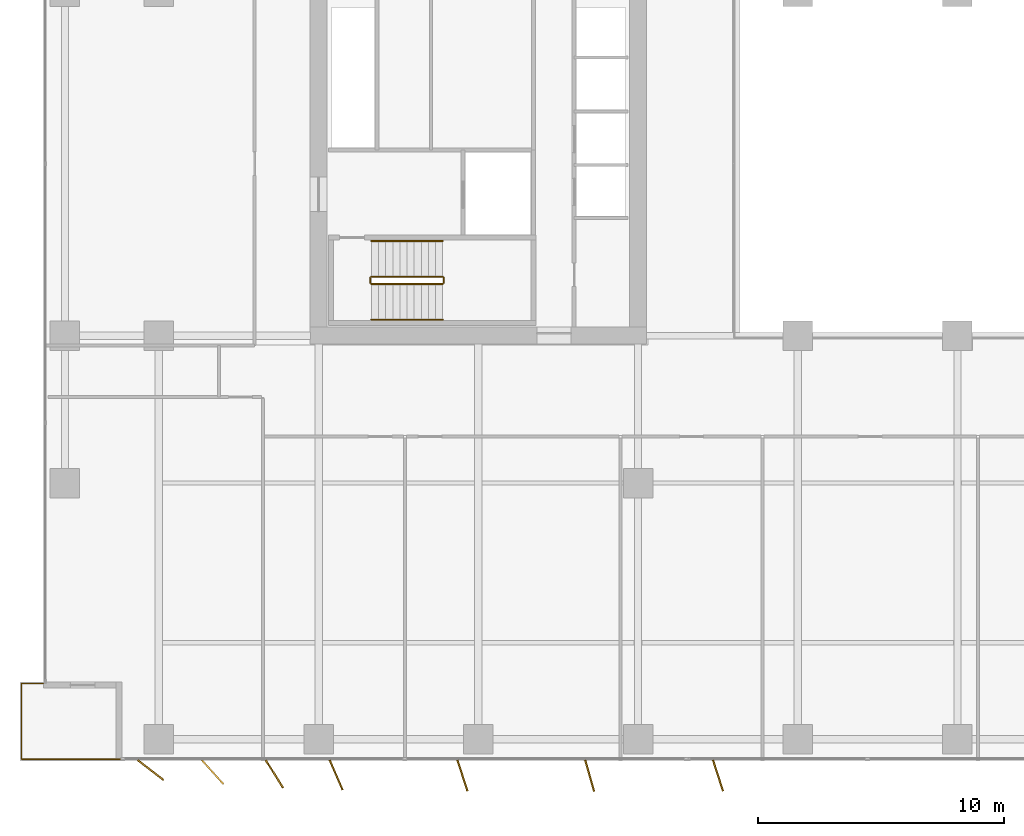
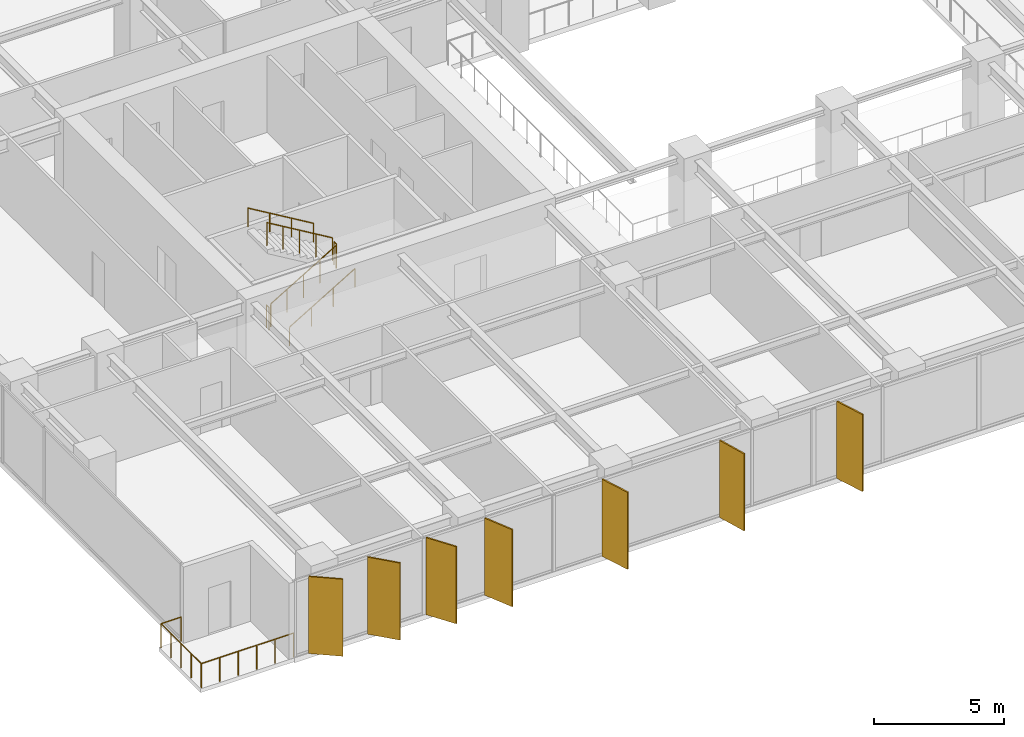
# One storey, part 17 of 20: 7 railings, 7 shading devices.
"""IFC4 building model written with IfcOpenShell, lengths in metres."""

from ifc_helpers import new_model, si_unit, direction, frame, origin, origin_2d, place, context, subcontext, project, spatial, rectangle, circle, extrude, material, layer, layer_set, type_object, element, save


model = new_model("IFC4")

# Units and contexts
model_context = context("Model", 3, precision=1e-05, world=origin(), true_north=direction((0.0, 1.0)))
body_context = subcontext(model_context, "Body", "Model", "MODEL_VIEW")
ifc_project = project(units=[si_unit("LENGTHUNIT", "METRE"), si_unit("AREAUNIT", "SQUARE_METRE"), si_unit("VOLUMEUNIT", "CUBIC_METRE"), si_unit("PLANEANGLEUNIT", "RADIAN"), si_unit("MASSUNIT", "GRAM", prefix="KILO")], contexts=[model_context])

# Site, building, storey
site_placement = place(None, origin())
site = spatial("IfcSite", under=ifc_project, at=site_placement, CompositionType="ELEMENT")
building_placement = place(site_placement, origin())
building = spatial("IfcBuilding", under=site, at=building_placement, Name="Putna Gate Headquarters", CompositionType="ELEMENT")
storey_placement = place(building_placement, frame((0.0, 0.0, 97.39990234375)))
storey = spatial("IfcBuildingStorey", under=building, at=storey_placement, Name="L23", CompositionType="ELEMENT", Elevation=97.39990234375)

# Railings
ifc_material_1 = material(Name="Powder-coated steel stair guardrail", Category="steel")
railing_type_1 = type_object("IfcRailingType", Name="RAIL-STAIR-GUARD-1100", PredefinedType="GUARDRAIL", material=ifc_material_1)
railing_1_placement = place(storey_placement, frame((15.14990234375, 21.10009765625, 0.1728515625)))
element("IfcRailing", 1, at=railing_1_placement, inside=storey, type_object=railing_type_1, Name="L23 ST1 stair guard 1", PredefinedType="GUARDRAIL", context=body_context, shape_type="SweptSolid", body=[
    extrude(circle(Radius=0.02392578125, at=origin_2d()), frame((0.0, 0.0, 1.076171875), z_axis=(0.859160404282, 0.0, 0.51170636083), x_axis=(0.0, 1.0, 0.0)), (0.0, 0.0, 1.0), 3.37548828125),
    extrude(circle(Radius=0.02099609375, at=origin_2d()), origin(), (0.0, 0.0, 1.0), 1.052001953125),
    extrude(circle(Radius=0.02099609375, at=origin_2d()), frame((0.72509765625, 0.0, 0.431884765625)), (0.0, 0.0, 1.0), 1.052001953125),
    extrude(circle(Radius=0.02099609375, at=origin_2d()), frame((1.4501953125, 0.0, 0.86376953125)), (0.0, 0.0, 1.0), 1.052001953125),
    extrude(circle(Radius=0.02099609375, at=origin_2d()), frame((2.175048828125, 0.0, 1.29541015625)), (0.0, 0.0, 1.0), 1.052001953125),
    extrude(circle(Radius=0.02099609375, at=origin_2d()), frame((2.900146484375, 0.0, 1.727294921875)), (0.0, 0.0, 1.0), 1.052001953125),
])
railing_2_placement = place(storey_placement, frame((18.10009765625, 21.14990234375, 1.900146484375)))
element("IfcRailing", 2, at=railing_2_placement, inside=storey, type_object=railing_type_1, Name="L23 ST1 stair guard 2", PredefinedType="GUARDRAIL", context=body_context, shape_type="SweptSolid", body=[
    extrude(circle(Radius=0.02392578125, at=origin_2d()), frame((0.0, 0.0, 1.076171875), z_axis=(0.0, 1.0, 0.0), x_axis=(-1.0, 0.0, 0.0)), (0.0, 0.0, 1.0), 0.2001953125),
    extrude(circle(Radius=0.02099609375, at=origin_2d()), origin(), (0.0, 0.0, 1.0), 1.052001953125),
    extrude(circle(Radius=0.02099609375, at=origin_2d()), frame((0.0, 0.2001953125, 0.0)), (0.0, 0.0, 1.0), 1.052001953125),
])
railing_3_placement = place(storey_placement, frame((18.050048828125, 21.39990234375, 2.07275390625)))
element("IfcRailing", 3, at=railing_3_placement, inside=storey, type_object=railing_type_1, Name="L23 ST1 stair guard 3", PredefinedType="GUARDRAIL", context=body_context, shape_type="SweptSolid", body=[
    extrude(circle(Radius=0.02392578125, at=origin_2d()), frame((0.0, 0.0, 1.076171875), z_axis=(-0.859160404282, 0.0, 0.51170636083), x_axis=(0.0, -1.0, 0.0)), (0.0, 0.0, 1.0), 3.37548828125),
    extrude(circle(Radius=0.02099609375, at=origin_2d()), origin(), (0.0, 0.0, 1.0), 1.052001953125),
    extrude(circle(Radius=0.02099609375, at=origin_2d()), frame((-0.72509765625, 0.0, 0.431884765625)), (0.0, 0.0, 1.0), 1.052001953125),
    extrude(circle(Radius=0.02099609375, at=origin_2d()), frame((-1.4501953125, 0.0, 0.86376953125)), (0.0, 0.0, 1.0), 1.052001953125),
    extrude(circle(Radius=0.02099609375, at=origin_2d()), frame((-2.175048828125, 0.0, 1.29541015625)), (0.0, 0.0, 1.0), 1.052001953125),
    extrude(circle(Radius=0.02099609375, at=origin_2d()), frame((-2.900146484375, 0.0, 1.727294921875)), (0.0, 0.0, 1.0), 1.052001953125),
])
railing_4_placement = place(storey_placement, frame((15.10009765625, 21.14990234375, 0.0)))
element("IfcRailing", 4, at=railing_4_placement, inside=storey, type_object=railing_type_1, Name="L23 ST1 stair guard 4", PredefinedType="GUARDRAIL", context=body_context, shape_type="SweptSolid", body=[
    extrude(circle(Radius=0.02392578125, at=origin_2d()), frame((0.0, 0.0, 1.076171875), z_axis=(0.0, 1.0, 0.0), x_axis=(-1.0, 0.0, 0.0)), (0.0, 0.0, 1.0), 0.2001953125),
    extrude(circle(Radius=0.02099609375, at=origin_2d()), origin(), (0.0, 0.0, 1.0), 1.052001953125),
    extrude(circle(Radius=0.02099609375, at=origin_2d()), frame((0.0, 0.2001953125, 0.0)), (0.0, 0.0, 1.0), 1.052001953125),
])
ifc_material_2 = material(Name="Brushed stainless steel handrail", Category="steel")
railing_type_2 = type_object("IfcRailingType", Name="RAIL-STAIR-HAND-900", PredefinedType="HANDRAIL", material=ifc_material_2)
railing_5_placement = place(storey_placement, frame((15.14990234375, 19.64990234375, 0.1728515625)))
element("IfcRailing", 5, at=railing_5_placement, inside=storey, type_object=railing_type_2, Name="L23 ST1 stair handrail 1", PredefinedType="HANDRAIL", context=body_context, shape_type="SweptSolid", body=[
    extrude(circle(Radius=0.02392578125, at=origin_2d()), frame((0.0, 0.0, 0.8759765625), z_axis=(0.859160404282, 0.0, 0.51170636083), x_axis=(0.0, 1.0, 0.0)), (0.0, 0.0, 1.0), 3.37548828125),
    extrude(circle(Radius=0.02099609375, at=origin_2d()), origin(), (0.0, 0.0, 1.0), 0.851806640625),
    extrude(circle(Radius=0.02099609375, at=origin_2d()), frame((0.966796875, 0.0, 0.57568359375)), (0.0, 0.0, 1.0), 0.851806640625),
    extrude(circle(Radius=0.02099609375, at=origin_2d()), frame((1.933349609375, 0.0, 1.151611328125)), (0.0, 0.0, 1.0), 0.851806640625),
    extrude(circle(Radius=0.02099609375, at=origin_2d()), frame((2.900146484375, 0.0, 1.727294921875)), (0.0, 0.0, 1.0), 0.851806640625),
])
railing_6_placement = place(storey_placement, frame((18.050048828125, 22.85009765625, 2.07275390625)))
element("IfcRailing", 6, at=railing_6_placement, inside=storey, type_object=railing_type_2, Name="L23 ST1 stair handrail 2", PredefinedType="HANDRAIL", context=body_context, shape_type="SweptSolid", body=[
    extrude(circle(Radius=0.02392578125, at=origin_2d()), frame((0.0, 0.0, 0.8759765625), z_axis=(-0.859160404282, 0.0, 0.51170636083), x_axis=(0.0, -1.0, 0.0)), (0.0, 0.0, 1.0), 3.37548828125),
    extrude(circle(Radius=0.02099609375, at=origin_2d()), origin(), (0.0, 0.0, 1.0), 0.851806640625),
    extrude(circle(Radius=0.02099609375, at=origin_2d()), frame((-0.966796875, 0.0, 0.57568359375)), (0.0, 0.0, 1.0), 0.851806640625),
    extrude(circle(Radius=0.02099609375, at=origin_2d()), frame((-1.933349609375, 0.0, 1.151611328125)), (0.0, 0.0, 1.0), 0.851806640625),
    extrude(circle(Radius=0.02099609375, at=origin_2d()), frame((-2.900146484375, 0.0, 1.727294921875)), (0.0, 0.0, 1.0), 0.851806640625),
])
ifc_material_3 = material(Name="Anodised bronze steel and laminated glass guardrail", Category="steel")
railing_type_3 = type_object("IfcRailingType", Name="RAIL-TERR-GUARD-1150", PredefinedType="GUARDRAIL", material=ifc_material_3)
railing_7_placement = place(storey_placement, frame((5.0, 1.760009765625, 0.0)))
element("IfcRailing", 7, at=railing_7_placement, inside=storey, type_object=railing_type_3, Name="L23 Spiral Sky Terrace Guardrail SW", PredefinedType="GUARDRAIL", context=body_context, shape_type="SweptSolid", body=[
    extrude(circle(Radius=0.02392578125, at=origin_2d()), frame((0.0, 0.0, 1.1259765625), z_axis=(-1.0, 0.0, 0.0), x_axis=(0.0, -1.0, 0.0)), (0.0, 0.0, 1.0), 4.090087890625),
    extrude(circle(Radius=0.02392578125, at=origin_2d()), frame((-4.090087890625, 0.0, 1.1259765625), z_axis=(0.0, 1.0, 0.0), x_axis=(-1.0, 0.0, 0.0)), (0.0, 0.0, 1.0), 3.080078125),
    extrude(circle(Radius=0.02392578125, at=origin_2d()), frame((-4.090087890625, 3.080078125, 1.1259765625), z_axis=(1.0, 0.0, 0.0), x_axis=(0.0, 1.0, 0.0)), (0.0, 0.0, 1.0), 0.89013671875),
    extrude(circle(Radius=0.02099609375, at=origin_2d()), origin(), (0.0, 0.0, 1.0), 1.101806640625),
    extrude(circle(Radius=0.02099609375, at=origin_2d()), frame((-0.818115234375, 0.0, 0.0)), (0.0, 0.0, 1.0), 1.101806640625),
    extrude(circle(Radius=0.02099609375, at=origin_2d()), frame((-1.635986328125, 0.0, 0.0)), (0.0, 0.0, 1.0), 1.101806640625),
    extrude(circle(Radius=0.02099609375, at=origin_2d()), frame((-2.4541015625, 0.0, 0.0)), (0.0, 0.0, 1.0), 1.101806640625),
    extrude(circle(Radius=0.02099609375, at=origin_2d()), frame((-3.27197265625, 0.0, 0.0)), (0.0, 0.0, 1.0), 1.101806640625),
    extrude(circle(Radius=0.02099609375, at=origin_2d()), frame((-4.090087890625, 0.0, 0.0)), (0.0, 0.0, 1.0), 1.101806640625),
    extrude(circle(Radius=0.02099609375, at=origin_2d()), frame((-4.090087890625, 0.77001953125, 0.0)), (0.0, 0.0, 1.0), 1.101806640625),
    extrude(circle(Radius=0.02099609375, at=origin_2d()), frame((-4.090087890625, 1.5400390625, 0.0)), (0.0, 0.0, 1.0), 1.101806640625),
    extrude(circle(Radius=0.02099609375, at=origin_2d()), frame((-4.090087890625, 2.31005859375, 0.0)), (0.0, 0.0, 1.0), 1.101806640625),
    extrude(circle(Radius=0.02099609375, at=origin_2d()), frame((-4.090087890625, 3.080078125, 0.0)), (0.0, 0.0, 1.0), 1.101806640625),
    extrude(circle(Radius=0.02099609375, at=origin_2d()), frame((-3.199951171875, 3.080078125, 0.0)), (0.0, 0.0, 1.0), 1.101806640625),
])

# Shading devices
ifc_material_4 = material(Name="Anodised architectural bronze aluminium fin", Category="aluminium")
ifc_layer = layer(ifc_material_4, 0.06494140625)
ifc_layer_set = layer_set([ifc_layer], Name="Anodised architectural bronze aluminium fin")
shading_device_type = type_object("IfcShadingDeviceType", Name="SHADE-BRONZE-FIN-1320", PredefinedType="USERDEFINED", material=ifc_layer_set)
for number, where, z_axis, x_axis, name in (
    (8, (6.169677734375, 1.318115234375, -0.019775390625), (0.0, 0.0, 1.0), (0.787473187632, -0.616348909921, 0.0), "L23 Bronze Vertical Shading Fin S1"),
    (9, (8.691650390625, 1.234619140625, -0.019775390625), (0.0, 0.0, 1.0), (0.669130606359, -0.743144825477, 0.0), "L23 Bronze Vertical Shading Fin S2"),
    (10, (11.2001953125, 1.16552734375, -0.019775390625), (0.0, 0.0, 1.0), (0.530659123936, -0.847585331506, 0.0), "L23 Bronze Vertical Shading Fin S3"),
    (11, (13.71435546875, 1.120361328125, -0.019775390625), (0.0, 0.0, 1.0), (0.400668879095, -0.916222925562, 0.0), "L23 Bronze Vertical Shading Fin S4"),
    (12, (18.853759765625, 1.09716796875, -0.019775390625), (0.0, 0.0, 1.0), (0.308684994204, -0.951164325631, 0.0), "L23 Bronze Vertical Shading Fin S5"),
    (13, (24.031982421875, 1.090576171875, -0.019775390625), (0.0, 0.0, 1.0), (0.275637355817, -0.961261695938, 0.0), "L23 Bronze Vertical Shading Fin S6"),
    (14, (29.253662109375, 1.09716796875, -0.019775390625), (0.0, 0.0, 1.0), (0.308684994204, -0.951164325631, 0.0), "L23 Bronze Vertical Shading Fin S7"),
):
    element("IfcShadingDevice", number, at=place(storey_placement, frame(where, z_axis=z_axis, x_axis=x_axis)), inside=storey, type_object=shading_device_type, Name=name, ObjectType="FIN", PredefinedType="USERDEFINED", context=body_context, shape_type="SweptSolid", body=[
        extrude(rectangle(XDim=1.320068359375, YDim=0.06494140625, at=origin_2d()), origin(), (0.0, 0.0, 1.0), 3.60498046875),
    ])

save(model, "model.ifc")
